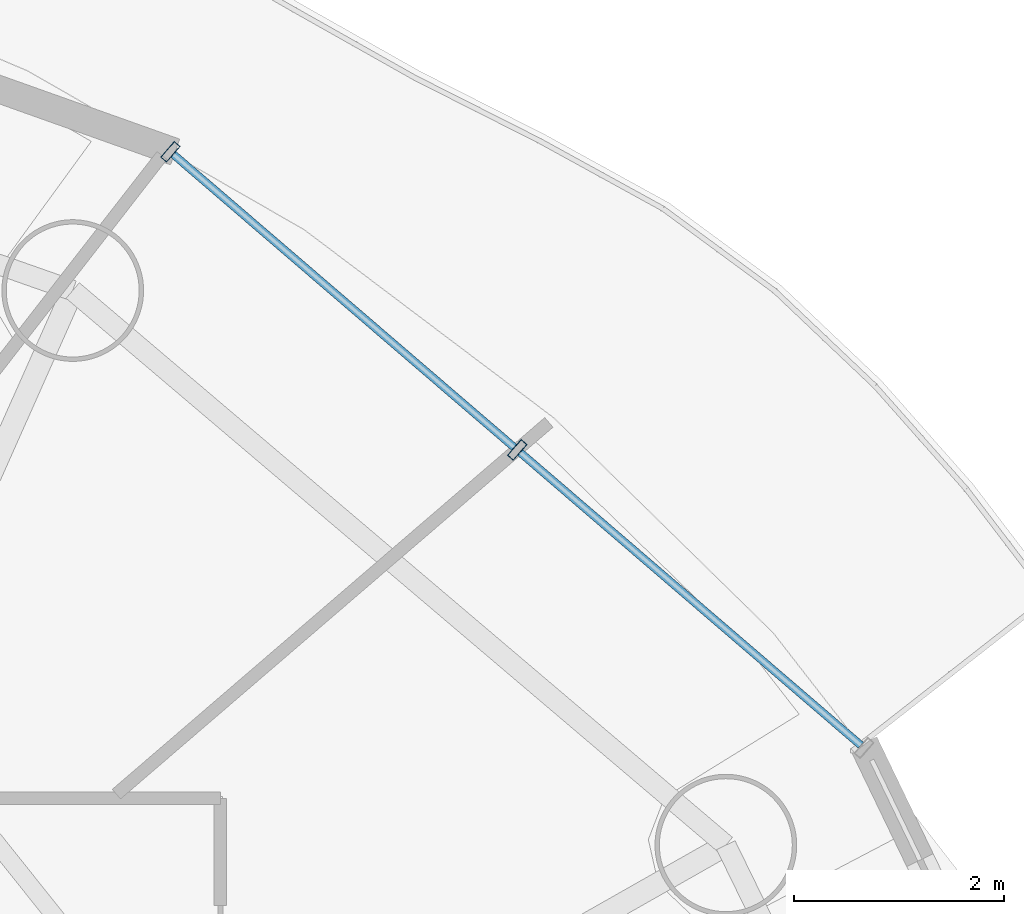
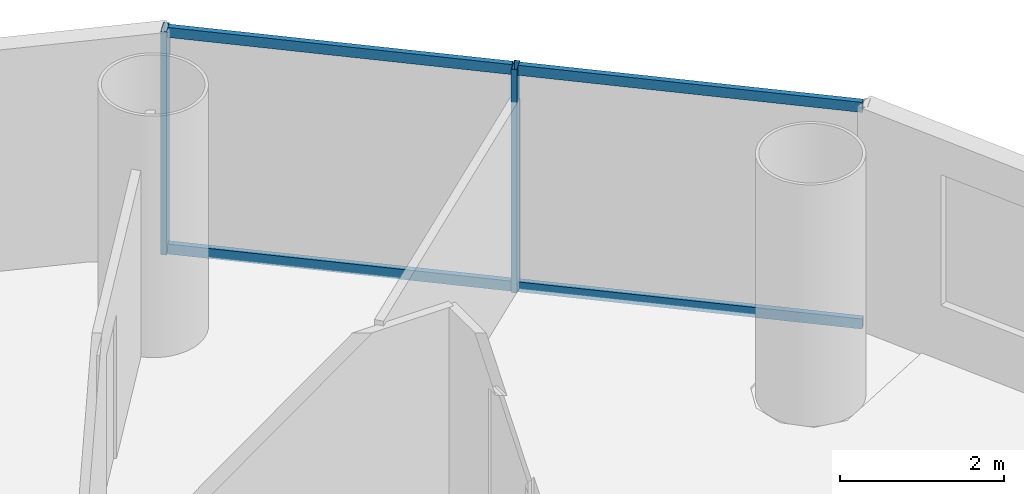
# One storey, part 18 of 26: 6 members, 1 element without a shape of its own.
"""IFC4 building model written with IfcOpenShell, lengths in metres."""

from ifc_helpers import new_model, si_unit, direction, frame, origin, origin_2d, place, context, subcontext, project, spatial, hollow_rectangle, extrude, source, transform, mapped, material, material_profile, profile_set, type_object, element, aggregate, save


model = new_model("IFC4")

# Units and contexts
model_context = context("Model", 3, precision=1e-05, world=origin(), true_north=direction((-0.2419218956, 0.970295726276)))
body_context = subcontext(model_context, "Body", "Model", "MODEL_VIEW")
ifc_project = project(units=[si_unit("LENGTHUNIT", "METRE"), si_unit("AREAUNIT", "SQUARE_METRE"), si_unit("VOLUMEUNIT", "CUBIC_METRE"), si_unit("PLANEANGLEUNIT", "RADIAN"), si_unit("MASSUNIT", "GRAM", prefix="KILO")], contexts=[model_context])

# Site, building, storey
site_placement = place(None, origin())
site = spatial("IfcSite", under=ifc_project, at=site_placement, CompositionType="ELEMENT")
building_placement = place(site_placement, origin())
building = spatial("IfcBuilding", under=site, at=building_placement, Name="Cobrevalo Terracotta Tower", CompositionType="ELEMENT")
storey_placement = place(building_placement, frame((0.0, 0.0, 139.0)))
storey = spatial("IfcBuildingStorey", under=building, at=storey_placement, Name="L36", CompositionType="ELEMENT", Elevation=139.0)

# Curtain wall, members
ifc_material = material(Name="Anodized aluminium", Category="aluminium")
curtain_wall_type = type_object("IfcCurtainWallType", Name="Mid-tower high-wind unitised curtain wall CW-U2", PredefinedType="NOTDEFINED", material=ifc_material)
curtain_wall_placement = place(storey_placement, origin())
curtain_wall = element("IfcCurtainWall", 1, at=curtain_wall_placement, inside=storey, type_object=curtain_wall_type, Name="L36 curtain wall CW-L36-S02", PredefinedType="NOTDEFINED")
ifc_material_profile_1 = material_profile(ifc_material, hollow_rectangle(XDim=0.074951171875, YDim=0.199951171875, WallThickness=0.0048828125, at=origin_2d()), Name="CWM 75x200")
ifc_profile_set_1 = profile_set([ifc_material_profile_1], Name="Anodized aluminium")
member_type_1 = type_object("IfcMemberType", Name="Lower/mid tower unitised mullion 75x200", PredefinedType="MULLION", material=ifc_profile_set_1)
shared_shape_1 = source(origin(), body_context, "Body", "SweptSolid", [
    extrude(hollow_rectangle(XDim=0.074951171875, YDim=0.199951171875, WallThickness=0.0048828125, at=origin_2d()), origin(), (0.0, 0.0, 1.0), 3.330078125),
])
member_1_placement = place(storey_placement, frame((54.762451171875, 41.204345703125, 0.0), z_axis=(0.0, 0.0, 1.0), x_axis=(-0.758441546142, 0.65174106905, 0.0)))
member_1 = element("IfcMember", 2, at=member_1_placement, type_object=member_type_1, Name="CW-L36-S02 vertical mullion 02", PredefinedType="MULLION", context=body_context, shape_type="MappedRepresentation", body=[
    mapped(shared_shape_1, transform((0.0, 0.0, 0.0), scale=1.0)),
])
member_2_placement = place(storey_placement, frame((51.45849609375, 44.04345703125, 0.0), z_axis=(0.0, 0.0, 1.0), x_axis=(-0.758441546142, 0.65174106905, 0.0)))
member_2 = element("IfcMember", 3, at=member_2_placement, type_object=member_type_1, Name="CW-L36-S02 vertical mullion 03", PredefinedType="MULLION", context=body_context, shape_type="MappedRepresentation", body=[
    mapped(shared_shape_1, transform((0.0, 0.0, 0.0), scale=1.0)),
])
ifc_material_profile_2 = material_profile(ifc_material, hollow_rectangle(XDim=0.074951171875, YDim=0.14990234375, WallThickness=0.00439453125, at=origin_2d()), Name="CWT 75x150")
ifc_profile_set_2 = profile_set([ifc_material_profile_2], Name="Anodized aluminium")
member_type_2 = type_object("IfcMemberType", Name="Tower unitised aluminium transom 75x150", PredefinedType="USERDEFINED", material=ifc_profile_set_2)
shared_shape_2 = source(origin(), body_context, "Body", "SweptSolid", [
    extrude(hollow_rectangle(XDim=0.074951171875, YDim=0.14990234375, WallThickness=0.00439453125, at=origin_2d()), origin(), (0.0, 0.0, 1.0), 4.276123046875),
])
member_3_placement = place(storey_placement, frame((58.035888671875, 38.391357421875, 0.050048828125), z_axis=(-0.758445941187, 0.65173595443, 0.0), x_axis=(-0.65173595443, -0.758445941187, 0.0)))
member_3 = element("IfcMember", 4, at=member_3_placement, type_object=member_type_2, Name="CW-L36-S02 transom B01-T1", ObjectType="TRANSOM", PredefinedType="USERDEFINED", context=body_context, shape_type="MappedRepresentation", body=[
    mapped(shared_shape_2, transform((0.0, 0.0, 0.0), scale=1.0)),
])
member_4_placement = place(storey_placement, frame((58.035888671875, 38.391357421875, 3.280029296875), z_axis=(-0.758445941187, 0.65173595443, 0.0), x_axis=(-0.65173595443, -0.758445941187, 0.0)))
member_4 = element("IfcMember", 5, at=member_4_placement, type_object=member_type_2, Name="CW-L36-S02 transom B01-T2", ObjectType="TRANSOM", PredefinedType="USERDEFINED", context=body_context, shape_type="MappedRepresentation", body=[
    mapped(shared_shape_2, transform((0.0, 0.0, 0.0), scale=1.0)),
])
member_5_placement = place(storey_placement, frame((54.73193359375, 41.23046875, 0.050048828125), z_axis=(-0.758417719247, 0.651768795764, 0.0), x_axis=(-0.651768795764, -0.758417719247, 0.0)))
member_5 = element("IfcMember", 6, at=member_5_placement, type_object=member_type_2, Name="CW-L36-S02 transom B02-T1", ObjectType="TRANSOM", PredefinedType="USERDEFINED", context=body_context, shape_type="MappedRepresentation", body=[
    mapped(shared_shape_2, transform((0.0, 0.0, 0.0), scale=1.0)),
])
member_6_placement = place(storey_placement, frame((54.73193359375, 41.23046875, 3.280029296875), z_axis=(-0.758417719247, 0.651768795764, 0.0), x_axis=(-0.651768795764, -0.758417719247, 0.0)))
member_6 = element("IfcMember", 7, at=member_6_placement, type_object=member_type_2, Name="CW-L36-S02 transom B02-T2", ObjectType="TRANSOM", PredefinedType="USERDEFINED", context=body_context, shape_type="MappedRepresentation", body=[
    mapped(shared_shape_2, transform((0.0, 0.0, 0.0), scale=1.0)),
])
aggregate(curtain_wall, [member_1, member_2, member_3, member_4, member_5, member_6])

save(model, "model.ifc")
